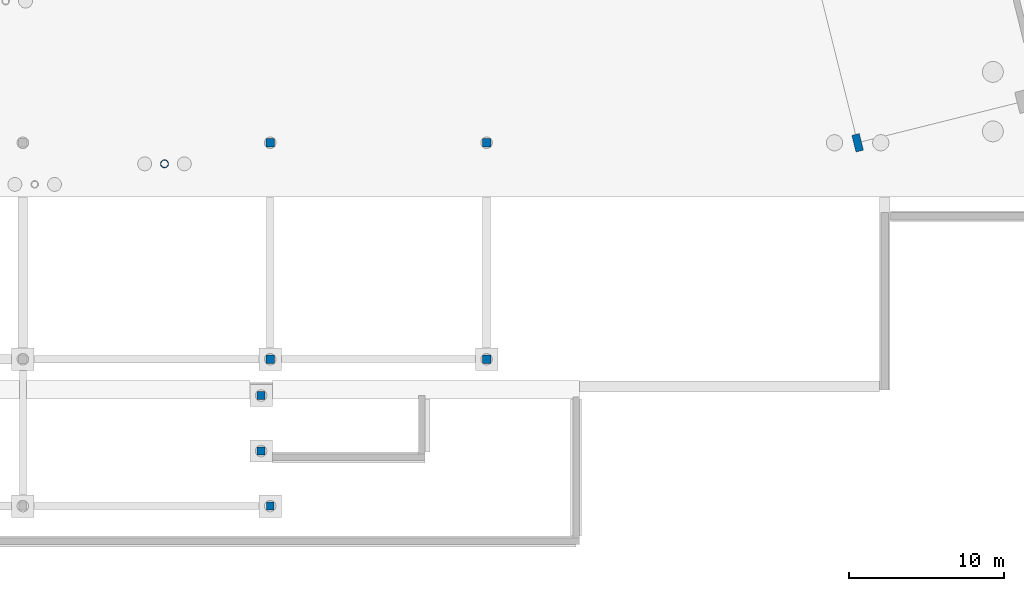
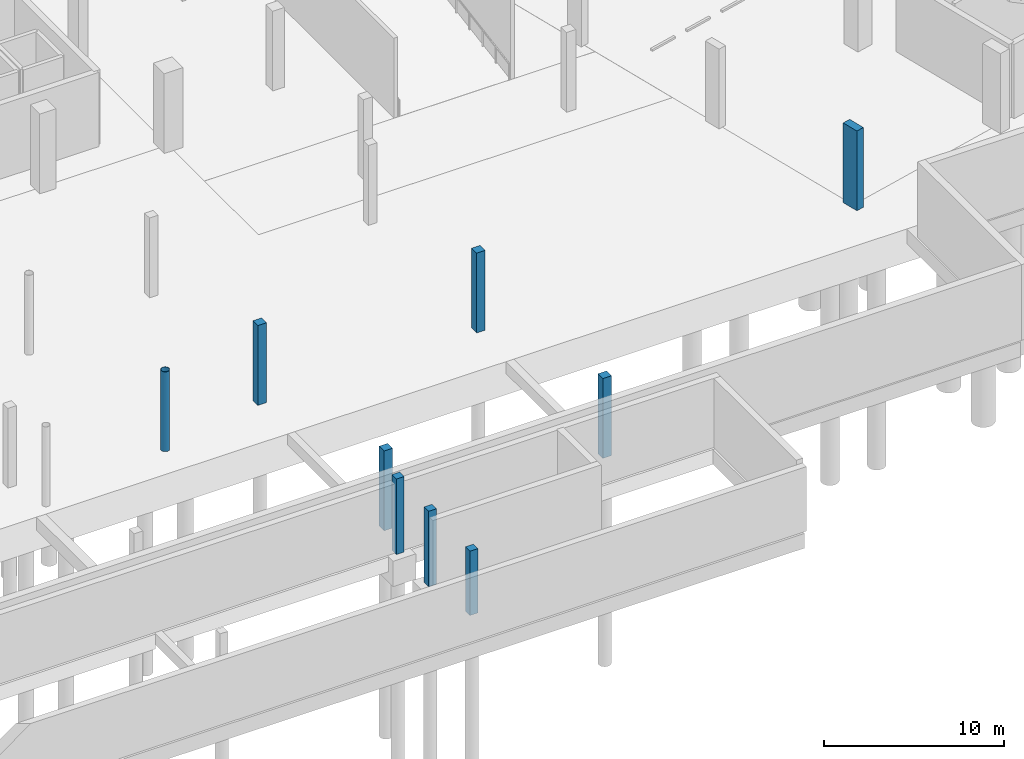
# One storey, part 32 of 65: 9 columns.
"""IFC4 building model written with IfcOpenShell, lengths in metres."""

from ifc_helpers import new_model, si_unit, direction, frame, origin, origin_2d, place, context, subcontext, project, spatial, rectangle, hollow_circle, extrude, material, material_profile, profile_set, type_object, element, save


model = new_model("IFC4")

# Units and contexts
model_context = context("Model", 3, precision=1e-05, world=origin(), true_north=direction((0.0, 1.0)))
body_context = subcontext(model_context, "Body", "Model", "MODEL_VIEW")
ifc_project = project(units=[si_unit("LENGTHUNIT", "METRE"), si_unit("AREAUNIT", "SQUARE_METRE"), si_unit("VOLUMEUNIT", "CUBIC_METRE"), si_unit("PLANEANGLEUNIT", "RADIAN"), si_unit("MASSUNIT", "GRAM", prefix="KILO")], contexts=[model_context])

# Site, building, storey
site_placement = place(None, origin())
site = spatial("IfcSite", under=ifc_project, at=site_placement, CompositionType="ELEMENT")
building_placement = place(site_placement, origin())
building = spatial("IfcBuilding", under=site, at=building_placement, Name="Khorjan Park Terminus", CompositionType="ELEMENT")
storey_placement = place(building_placement, frame((0.0, 0.0, -5.4)))
storey = spatial("IfcBuildingStorey", under=building, at=storey_placement, Name="B1", CompositionType="ELEMENT", Elevation=-5.4)

# Columns
ifc_material_1 = material(Name="Concrete C50/60", Category="concrete")
ifc_material_profile_1 = material_profile(ifc_material_1, rectangle(XDim=0.5, YDim=1.1, at=origin_2d()), Name="RC 500x1100")
ifc_profile_set_1 = profile_set([ifc_material_profile_1], Name="Concrete C50/60")
column_type_1 = type_object("IfcColumnType", Name="COL-BL1100E", PredefinedType="COLUMN", material=ifc_profile_set_1)
column_1_placement = place(storey_placement, frame((166.0, 2.0, 0.0), z_axis=(0.0, 0.0, 1.0), x_axis=(0.970295726276, 0.2419218956, 0.0)))
element("IfcColumn", 1, at=column_1_placement, inside=storey, type_object=column_type_1, Name="Structural column C-BL11 (B1 #661)", PredefinedType="COLUMN", context=body_context, shape_type="SweptSolid", body=[
    extrude(rectangle(XDim=0.5, YDim=1.1, at=origin_2d()), origin(), (0.0, 0.0, 1.0), 5.4),
])
ifc_material_2 = material(Name="Concrete C40/50", Category="concrete")
ifc_material_profile_2 = material_profile(ifc_material_2, rectangle(XDim=0.5, YDim=0.5, at=origin_2d()), Name="RC 500x500")
ifc_profile_set_2 = profile_set([ifc_material_profile_2], Name="Concrete C40/50")
column_type_2 = type_object("IfcColumnType", Name="COL-RC500", PredefinedType="COLUMN", material=ifc_profile_set_2)
for number, where, z_axis, x_axis, name in (
    (2, (127.41, -17.94, 0.0), (0.0, 0.0, 1.0), (1.0, 0.0, 0.0), "Structural column C-RC05 (B1 #534)"),
    (3, (127.41, -14.35, 0.0), (0.0, 0.0, 1.0), (1.0, 0.0, 0.0), "Structural column C-RC05 (B1 #535)"),
):
    element("IfcColumn", number, at=place(storey_placement, frame(where, z_axis=z_axis, x_axis=x_axis)), inside=storey, type_object=column_type_2, Name=name, PredefinedType="COLUMN", context=body_context, shape_type="SweptSolid", body=[
        extrude(rectangle(XDim=0.5, YDim=0.5, at=origin_2d()), origin(), (0.0, 0.0, 1.0), 5.11),
    ])
column_2_placement = place(storey_placement, frame((128.0, -21.5, 0.0), z_axis=(0.0, 0.0, 1.0), x_axis=(1.0, 0.0, 0.0)))
element("IfcColumn", 4, at=column_2_placement, inside=storey, type_object=column_type_2, Name="Structural column C-RC05 (B1 #973)", PredefinedType="COLUMN", context=body_context, shape_type="SweptSolid", body=[
    extrude(rectangle(XDim=0.5, YDim=0.5, at=origin_2d()), origin(), (0.0, 0.0, 1.0), 4.36),
])
ifc_material_profile_3 = material_profile(ifc_material_2, rectangle(XDim=0.55, YDim=0.55, at=origin_2d()), Name="RC 550x550")
ifc_profile_set_3 = profile_set([ifc_material_profile_3], Name="Concrete C40/50")
column_type_3 = type_object("IfcColumnType", Name="COL-RC550", PredefinedType="COLUMN", material=ifc_profile_set_3)
for number, where, z_axis, x_axis, name in (
    (5, (128.0, 2.0, 0.0), (0.0, 0.0, 1.0), (1.0, 0.0, 0.0), "Structural column C-RC55 (B1 #971)"),
    (6, (128.0, -12.0, 0.0), (0.0, 0.0, 1.0), (1.0, 0.0, 0.0), "Structural column C-RC55 (B1 #972)"),
    (7, (142.0, 2.0, 0.0), (0.0, 0.0, 1.0), (1.0, 0.0, 0.0), "Structural column C-RC55 (B1 #975)"),
    (8, (142.0, -12.0, 0.0), (0.0, 0.0, 1.0), (1.0, 0.0, 0.0), "Structural column C-RC55 (B1 #976)"),
):
    element("IfcColumn", number, at=place(storey_placement, frame(where, z_axis=z_axis, x_axis=x_axis)), inside=storey, type_object=column_type_3, Name=name, PredefinedType="COLUMN", context=body_context, shape_type="SweptSolid", body=[
        extrude(rectangle(XDim=0.55, YDim=0.55, at=origin_2d()), origin(), (0.0, 0.0, 1.0), 5.4),
    ])
ifc_material_3 = material(Name="Steel S355", Category="steel")
ifc_material_profile_4 = material_profile(ifc_material_3, hollow_circle(Radius=0.254, WallThickness=0.02, at=origin_2d()), Name="CHS 508x20")
ifc_profile_set_4 = profile_set([ifc_material_profile_4], Name="Steel S355")
column_type_4 = type_object("IfcColumnType", Name="COL-SH508E", PredefinedType="COLUMN", material=ifc_profile_set_4)
column_3_placement = place(storey_placement, frame((121.163, 0.637, 0.0), z_axis=(0.0, 0.0, 1.0), x_axis=(0.987688340595, 0.15643446504, 0.0)))
element("IfcColumn", 9, at=column_3_placement, inside=storey, type_object=column_type_4, Name="Structural column SC-51 (B1 #590)", PredefinedType="COLUMN", context=body_context, shape_type="SweptSolid", body=[
    extrude(hollow_circle(Radius=0.254, WallThickness=0.02, at=origin_2d()), origin(), (0.0, 0.0, 1.0), 5.4),
])

save(model, "model.ifc")
